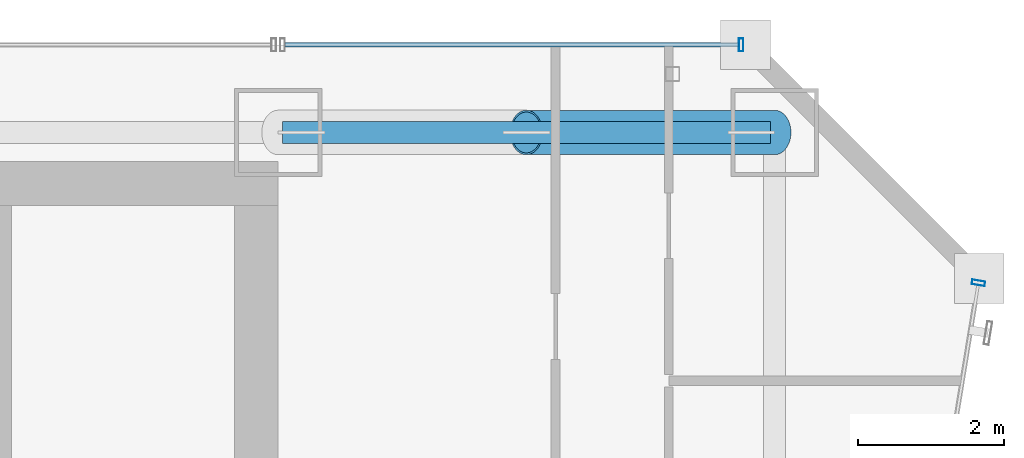
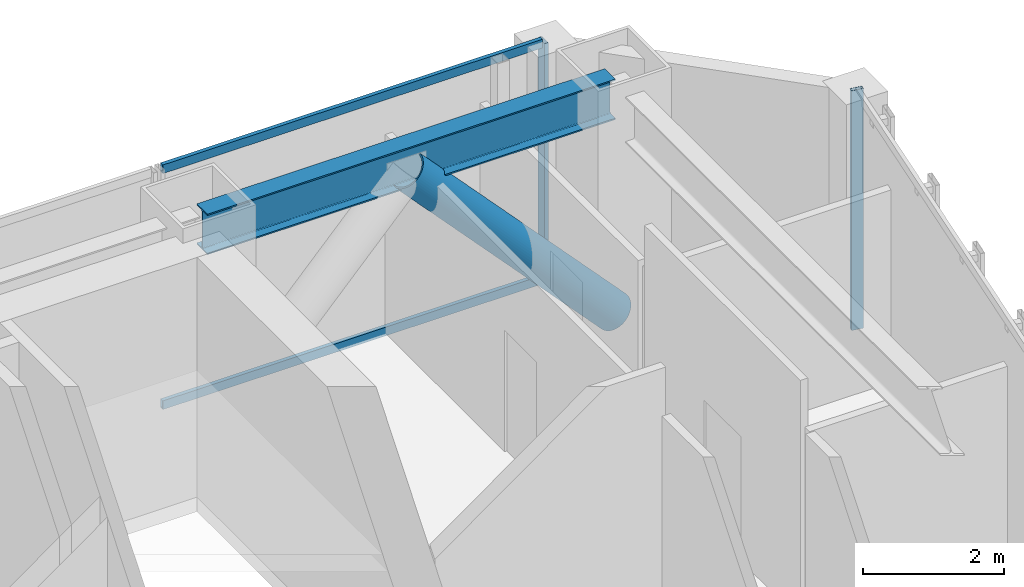
# One storey, part 33 of 47: 5 members, 1 beam, 2 elements without a shape of their own.
"""IFC4 building model written with IfcOpenShell, lengths in metres."""

from ifc_helpers import new_model, si_unit, direction, frame, origin, origin_2d, place, context, subcontext, project, spatial, hollow_rectangle, hollow_circle, i_section, extrude, material, material_profile, profile_set, type_object, element, aggregate, save


model = new_model("IFC4")

# Units and contexts
model_context = context("Model", 3, precision=1e-05, world=origin(), true_north=direction((0.0, 1.0)))
body_context = subcontext(model_context, "Body", "Model", "MODEL_VIEW")
ifc_project = project(units=[si_unit("LENGTHUNIT", "METRE"), si_unit("AREAUNIT", "SQUARE_METRE"), si_unit("VOLUMEUNIT", "CUBIC_METRE"), si_unit("PLANEANGLEUNIT", "RADIAN"), si_unit("MASSUNIT", "GRAM", prefix="KILO")], contexts=[model_context])

# Site, building, storey
site_placement = place(None, origin())
site = spatial("IfcSite", under=ifc_project, at=site_placement, CompositionType="ELEMENT")
building_placement = place(site_placement, origin())
building = spatial("IfcBuilding", under=site, at=building_placement, Name="Saevonmaru Cultural Tower", CompositionType="ELEMENT")
storey_placement = place(building_placement, frame((0.0, 0.0, 92.800048828125)))
storey = spatial("IfcBuildingStorey", under=building, at=storey_placement, Name="L19", CompositionType="ELEMENT", Elevation=92.800048828125)

# Beam
ifc_material_1 = material(Name="Steel SM355", Category="steel")
ifc_material_profile_1 = material_profile(ifc_material_1, i_section(OverallWidth=0.300048828125, OverallDepth=0.699951171875, WebThickness=0.012939453125, FlangeThickness=0.02392578125, FilletRadius=0.02587890625, at=origin_2d()), Name="H-700x300x13x24")
ifc_profile_set_1 = profile_set([ifc_material_profile_1], Name="Steel SM355")
beam_type = type_object("IfcBeamType", Name="BM-SP-H700", PredefinedType="SPANDREL", material=ifc_profile_set_1)
beam_placement = place(storey_placement, frame((46.4599609375, 54.800048828125, 3.800048828125), z_axis=(1.0, 0.0, 0.0), x_axis=(0.0, 1.0, 0.0)))
element("IfcBeam", 1, at=beam_placement, inside=storey, type_object=beam_type, Name="L19 North Spine Girder 5", PredefinedType="SPANDREL", context=body_context, shape_type="SweptSolid", body=[
    extrude(i_section(OverallWidth=0.300048828125, OverallDepth=0.699951171875, WebThickness=0.012939453125, FlangeThickness=0.02392578125, FilletRadius=0.02587890625, at=origin_2d()), origin(), (0.0, 0.0, 1.0), 6.679931640625),
])

# Member
ifc_material_2 = material(Name="Steel HSA600 (600 MPa)", Category="steel")
ifc_material_profile_2 = material_profile(ifc_material_2, hollow_circle(Radius=0.3046875, WallThickness=0.02490234375, at=origin_2d()), Name="CHS-609.6x25")
ifc_profile_set_2 = profile_set([ifc_material_profile_2], Name="Steel HSA600 (600 MPa)")
member_type_1 = type_object("IfcMemberType", Name="MB-PBR-CHS610", PredefinedType="BRACE", material=ifc_profile_set_2)
member_1_placement = place(storey_placement, frame((53.199951171875, 54.800048828125, 0.02001953125), z_axis=(-0.681602937137, 0.0, 0.73172223971), x_axis=(0.0, -1.0, 0.0)))
element("IfcMember", 2, at=member_1_placement, inside=storey, type_object=member_type_1, Name="L19 Perimeter Braced-Tube Diagonal EN2", PredefinedType="BRACE", context=body_context, shape_type="SweptSolid", body=[
    extrude(hollow_circle(Radius=0.3046875, WallThickness=0.02490234375, at=origin_2d()), origin(), (0.0, 0.0, 1.0), 4.988037109375),
])

# Curtain wall, member
ifc_material_3 = material(Name="Satin Bronze Anodised Aluminium", Category="aluminium")
curtain_wall_type = type_object("IfcCurtainWallType", Name="CW-TYP-A", PredefinedType="NOTDEFINED", material=ifc_material_3)
curtain_wall_1_placement = place(storey_placement, origin())
curtain_wall_1 = element("IfcCurtainWall", 3, at=curtain_wall_1_placement, inside=storey, type_object=curtain_wall_type, Name="L19 Unitised Curtain Wall E8", PredefinedType="NOTDEFINED")
ifc_material_profile_3 = material_profile(ifc_material_3, hollow_rectangle(XDim=0.06494140625, YDim=0.179931640625, WallThickness=0.00390625, at=origin_2d()), Name="ALU-MULL-180x65x4")
ifc_profile_set_3 = profile_set([ifc_material_profile_3], Name="Satin Bronze Anodised Aluminium")
member_type_2 = type_object("IfcMemberType", Name="ML-CW-180x65", PredefinedType="MULLION", material=ifc_profile_set_3)
member_2_placement = place(storey_placement, frame((55.990234375, 52.74072265625, 0.0), z_axis=(0.0, 0.0, 1.0), x_axis=(0.161708868641, 0.986838508472, 0.0)))
member_2 = element("IfcMember", 4, at=member_2_placement, type_object=member_type_2, Name="CW-TW-L19-E8 mullion 5", PredefinedType="MULLION", context=body_context, shape_type="SweptSolid", body=[
    extrude(hollow_rectangle(XDim=0.06494140625, YDim=0.179931640625, WallThickness=0.00390625, at=origin_2d()), origin(), (0.0, 0.0, 1.0), 4.14990234375),
])
aggregate(curtain_wall_1, [member_2])

# Curtain wall, members
curtain_wall_2_placement = place(storey_placement, origin())
curtain_wall_2 = element("IfcCurtainWall", 5, at=curtain_wall_2_placement, inside=storey, type_object=curtain_wall_type, Name="L19 East Braced Bay Spandrel Curtain Wall E10A", PredefinedType="NOTDEFINED")
member_3_placement = place(storey_placement, frame((52.739990234375, 56.0, 0.0), z_axis=(0.0, 0.0, 1.0), x_axis=(-1.0, 0.0, 0.0)))
member_3 = element("IfcMember", 6, at=member_3_placement, type_object=member_type_2, Name="CW-TW-L19-E10A mullion 1", PredefinedType="MULLION", context=body_context, shape_type="SweptSolid", body=[
    extrude(hollow_rectangle(XDim=0.06494140625, YDim=0.179931640625, WallThickness=0.00390625, at=origin_2d()), origin(), (0.0, 0.0, 1.0), 4.14990234375),
])
ifc_material_profile_4 = material_profile(ifc_material_3, hollow_rectangle(XDim=0.06494140625, YDim=0.14990234375, WallThickness=0.00390625, at=origin_2d()), Name="ALU-TRAN-150x65x4")
ifc_profile_set_4 = profile_set([ifc_material_profile_4], Name="Satin Bronze Anodised Aluminium")
member_type_3 = type_object("IfcMemberType", Name="TR-CW-150x65", PredefinedType="USERDEFINED", material=ifc_profile_set_4)
member_4_placement = place(storey_placement, frame((52.70751953125, 56.0, 0.032470703125), z_axis=(-1.0, 0.0, 0.0), x_axis=(0.0, -1.0, 0.0)))
member_4 = element("IfcMember", 7, at=member_4_placement, type_object=member_type_3, Name="CW-TW-L19-E10A transom 1.1", ObjectType="TRANSOM", PredefinedType="USERDEFINED", context=body_context, shape_type="SweptSolid", body=[
    extrude(hollow_rectangle(XDim=0.06494140625, YDim=0.14990234375, WallThickness=0.00390625, at=origin_2d()), origin(), (0.0, 0.0, 1.0), 6.215087890625),
])
member_5_placement = place(storey_placement, frame((52.70751953125, 56.0, 4.117431640625), z_axis=(-1.0, 0.0, 0.0), x_axis=(0.0, -1.0, 0.0)))
member_5 = element("IfcMember", 8, at=member_5_placement, type_object=member_type_3, Name="CW-TW-L19-E10A transom 1.2", ObjectType="TRANSOM", PredefinedType="USERDEFINED", context=body_context, shape_type="SweptSolid", body=[
    extrude(hollow_rectangle(XDim=0.06494140625, YDim=0.14990234375, WallThickness=0.00390625, at=origin_2d()), origin(), (0.0, 0.0, 1.0), 6.215087890625),
])
aggregate(curtain_wall_2, [member_3, member_4, member_5])

save(model, "model.ifc")
